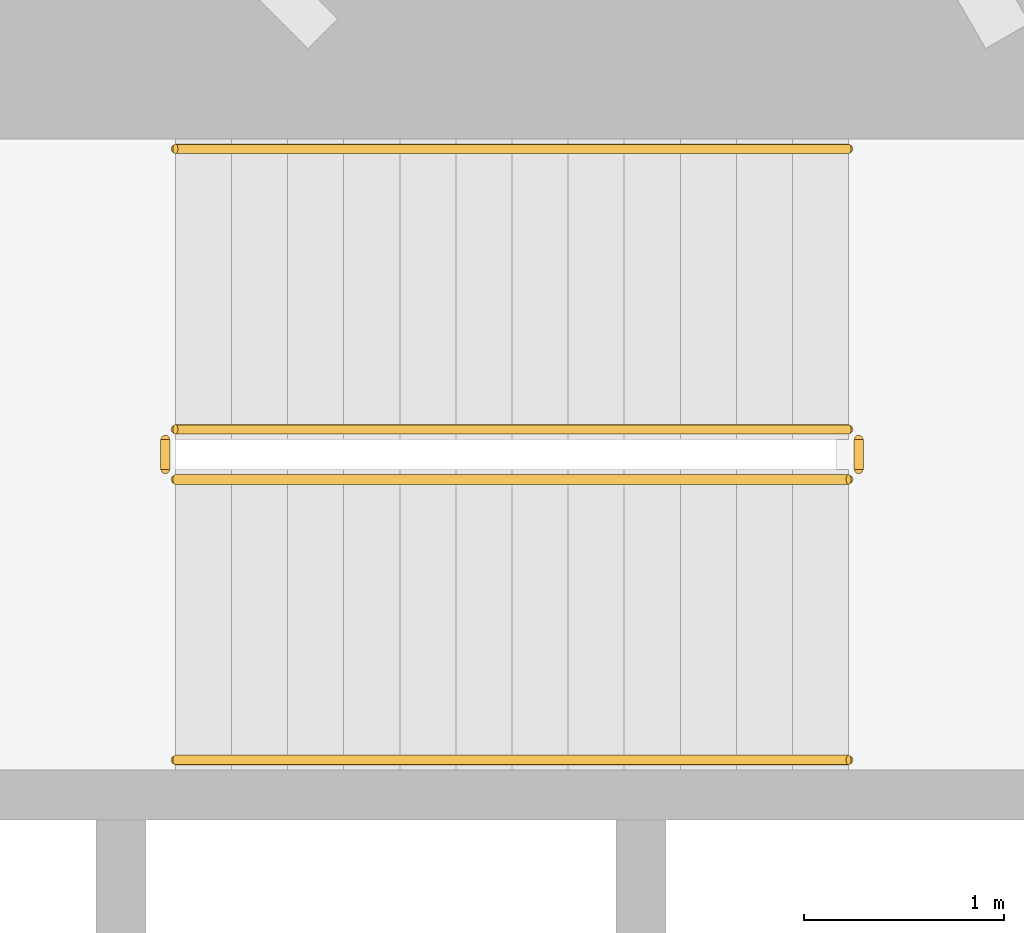
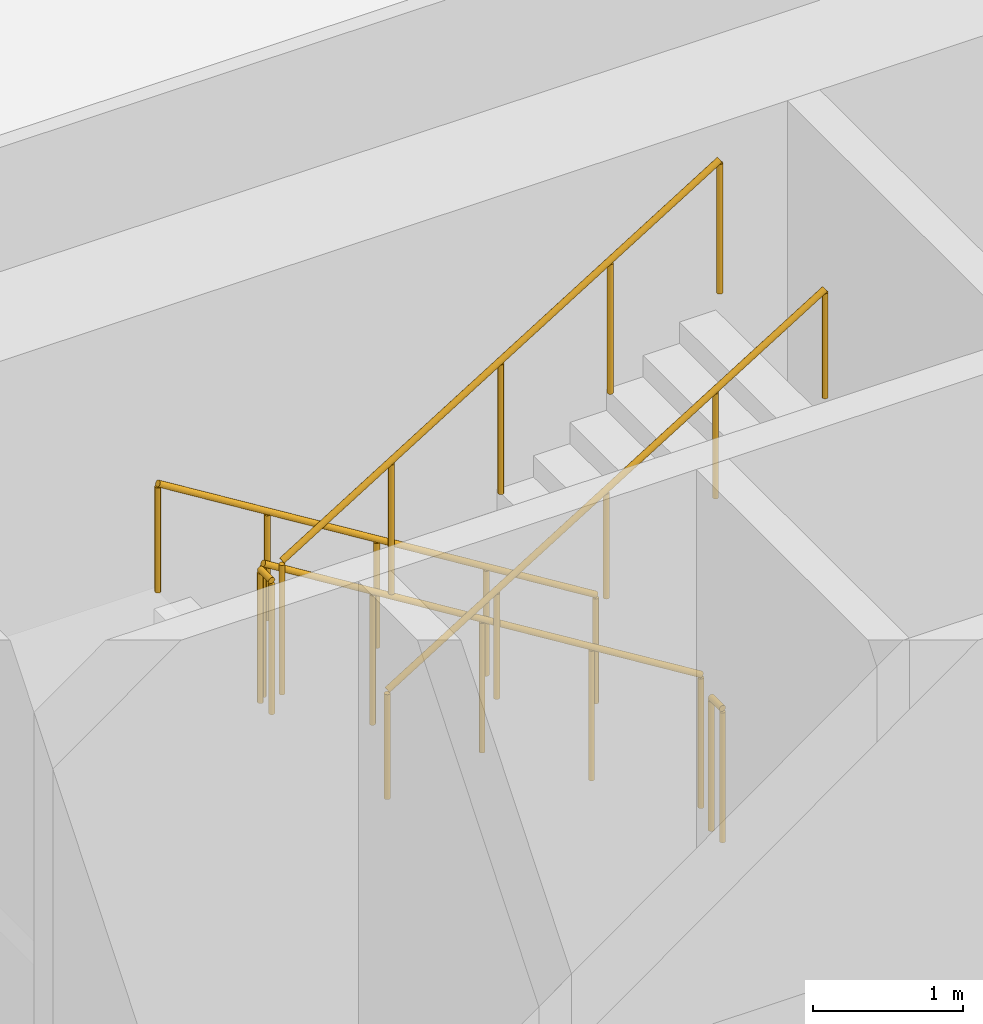
# One storey, part 49 of 56: 6 railings.
"""IFC4 building model written with IfcOpenShell, lengths in metres."""

from ifc_helpers import new_model, si_unit, direction, frame, origin, origin_2d, place, context, subcontext, project, spatial, circle, extrude, material, type_object, element, save


model = new_model("IFC4")

# Units and contexts
model_context = context("Model", 3, precision=1e-05, world=origin(), true_north=direction((0.0, 1.0)))
body_context = subcontext(model_context, "Body", "Model", "MODEL_VIEW")
ifc_project = project(units=[si_unit("LENGTHUNIT", "METRE"), si_unit("AREAUNIT", "SQUARE_METRE"), si_unit("VOLUMEUNIT", "CUBIC_METRE"), si_unit("PLANEANGLEUNIT", "RADIAN"), si_unit("MASSUNIT", "GRAM", prefix="KILO")], contexts=[model_context])

# Site, building, storey
site_placement = place(None, origin())
site = spatial("IfcSite", under=ifc_project, at=site_placement, CompositionType="ELEMENT")
building_placement = place(site_placement, origin())
building = spatial("IfcBuilding", under=site, at=building_placement, Name="Rimbun Link Towers", CompositionType="ELEMENT")
storey_placement = place(building_placement, frame((0.0, 0.0, 16.5)))
storey = spatial("IfcBuildingStorey", under=building, at=storey_placement, Name="L03", CompositionType="ELEMENT", Elevation=16.5)

# Railings
ifc_material_1 = material(Name="Stainless steel grade 316", Category="steel")
railing_type_1 = type_object("IfcRailingType", Name="Stair guard", PredefinedType="GUARDRAIL", material=ifc_material_1)
railing_1_placement = place(storey_placement, frame((-37.199951171875, 6.10009765625, 0.173095703125)))
element("IfcRailing", 1, at=railing_1_placement, inside=storey, type_object=railing_type_1, Name="L03 ST1 stair guard 1", PredefinedType="GUARDRAIL", context=body_context, shape_type="SweptSolid", body=[
    extrude(circle(Radius=0.02392578125, at=origin_2d()), frame((0.0, 0.0, 1.076171875), z_axis=(-0.850623216509, 0.0, 0.525775754039), x_axis=(0.0, -1.0, 0.0)), (0.0, 0.0, 1.0), 3.9501953125),
    extrude(circle(Radius=0.02099609375, at=origin_2d()), origin(), (0.0, 0.0, 1.0), 1.052001953125),
    extrude(circle(Radius=0.02099609375, at=origin_2d()), frame((-0.840087890625, 0.0, 0.519287109375)), (0.0, 0.0, 1.0), 1.052001953125),
    extrude(circle(Radius=0.02099609375, at=origin_2d()), frame((-1.68017578125, 0.0, 1.03857421875)), (0.0, 0.0, 1.0), 1.052001953125),
    extrude(circle(Radius=0.02099609375, at=origin_2d()), frame((-2.52001953125, 0.0, 1.5576171875)), (0.0, 0.0, 1.0), 1.052001953125),
    extrude(circle(Radius=0.02099609375, at=origin_2d()), frame((-3.360107421875, 0.0, 2.076904296875)), (0.0, 0.0, 1.0), 1.052001953125),
])
railing_2_placement = place(storey_placement, frame((-40.610107421875, 6.050048828125, 2.25)))
element("IfcRailing", 2, at=railing_2_placement, inside=storey, type_object=railing_type_1, Name="L03 ST1 stair guard 2", PredefinedType="GUARDRAIL", context=body_context, shape_type="SweptSolid", body=[
    extrude(circle(Radius=0.02392578125, at=origin_2d()), frame((0.0, 0.0, 1.076171875), z_axis=(0.0, -1.0, 0.0), x_axis=(1.0, 0.0, 0.0)), (0.0, 0.0, 1.0), 0.150146484375),
    extrude(circle(Radius=0.02099609375, at=origin_2d()), origin(), (0.0, 0.0, 1.0), 1.052001953125),
    extrude(circle(Radius=0.02099609375, at=origin_2d()), frame((0.0, -0.150146484375, 0.0)), (0.0, 0.0, 1.0), 1.052001953125),
])
railing_3_placement = place(storey_placement, frame((-40.56005859375, 5.85009765625, 2.423095703125)))
element("IfcRailing", 3, at=railing_3_placement, inside=storey, type_object=railing_type_1, Name="L03 ST1 stair guard 3", PredefinedType="GUARDRAIL", context=body_context, shape_type="SweptSolid", body=[
    extrude(circle(Radius=0.02392578125, at=origin_2d()), frame((0.0, 0.0, 1.076171875), z_axis=(0.850623216509, 0.0, 0.525775754039), x_axis=(0.0, 1.0, 0.0)), (0.0, 0.0, 1.0), 3.9501953125),
    extrude(circle(Radius=0.02099609375, at=origin_2d()), origin(), (0.0, 0.0, 1.0), 1.052001953125),
    extrude(circle(Radius=0.02099609375, at=origin_2d()), frame((0.840087890625, 0.0, 0.519287109375)), (0.0, 0.0, 1.0), 1.052001953125),
    extrude(circle(Radius=0.02099609375, at=origin_2d()), frame((1.68017578125, 0.0, 1.03857421875)), (0.0, 0.0, 1.0), 1.052001953125),
    extrude(circle(Radius=0.02099609375, at=origin_2d()), frame((2.52001953125, 0.0, 1.5576171875)), (0.0, 0.0, 1.0), 1.052001953125),
    extrude(circle(Radius=0.02099609375, at=origin_2d()), frame((3.360107421875, 0.0, 2.076904296875)), (0.0, 0.0, 1.0), 1.052001953125),
])
railing_4_placement = place(storey_placement, frame((-37.14990234375, 6.050048828125, 0.0)))
element("IfcRailing", 4, at=railing_4_placement, inside=storey, type_object=railing_type_1, Name="L03 ST1 stair guard 4", PredefinedType="GUARDRAIL", context=body_context, shape_type="SweptSolid", body=[
    extrude(circle(Radius=0.02392578125, at=origin_2d()), frame((0.0, 0.0, 1.076171875), z_axis=(0.0, -1.0, 0.0), x_axis=(1.0, 0.0, 0.0)), (0.0, 0.0, 1.0), 0.150146484375),
    extrude(circle(Radius=0.02099609375, at=origin_2d()), origin(), (0.0, 0.0, 1.0), 1.052001953125),
    extrude(circle(Radius=0.02099609375, at=origin_2d()), frame((0.0, -0.150146484375, 0.0)), (0.0, 0.0, 1.0), 1.052001953125),
])
ifc_material_2 = material(Name="Stainless steel grade 316", Category="steel")
railing_type_2 = type_object("IfcRailingType", Name="Stair handrail", PredefinedType="HANDRAIL", material=ifc_material_2)
railing_5_placement = place(storey_placement, frame((-37.199951171875, 7.5, 0.173095703125)))
element("IfcRailing", 5, at=railing_5_placement, inside=storey, type_object=railing_type_2, Name="L03 ST1 stair handrail 1", PredefinedType="HANDRAIL", context=body_context, shape_type="SweptSolid", body=[
    extrude(circle(Radius=0.02392578125, at=origin_2d()), frame((0.0, 0.0, 0.8759765625), z_axis=(-0.850623216509, 0.0, 0.525775754039), x_axis=(0.0, -1.0, 0.0)), (0.0, 0.0, 1.0), 3.9501953125),
    extrude(circle(Radius=0.02099609375, at=origin_2d()), origin(), (0.0, 0.0, 1.0), 0.851806640625),
    extrude(circle(Radius=0.02099609375, at=origin_2d()), frame((-0.840087890625, 0.0, 0.519287109375)), (0.0, 0.0, 1.0), 0.851806640625),
    extrude(circle(Radius=0.02099609375, at=origin_2d()), frame((-1.68017578125, 0.0, 1.03857421875)), (0.0, 0.0, 1.0), 0.851806640625),
    extrude(circle(Radius=0.02099609375, at=origin_2d()), frame((-2.52001953125, 0.0, 1.5576171875)), (0.0, 0.0, 1.0), 0.851806640625),
    extrude(circle(Radius=0.02099609375, at=origin_2d()), frame((-3.360107421875, 0.0, 2.076904296875)), (0.0, 0.0, 1.0), 0.851806640625),
])
railing_6_placement = place(storey_placement, frame((-40.56005859375, 4.449951171875, 2.423095703125)))
element("IfcRailing", 6, at=railing_6_placement, inside=storey, type_object=railing_type_2, Name="L03 ST1 stair handrail 2", PredefinedType="HANDRAIL", context=body_context, shape_type="SweptSolid", body=[
    extrude(circle(Radius=0.02392578125, at=origin_2d()), frame((0.0, 0.0, 0.8759765625), z_axis=(0.850623216509, 0.0, 0.525775754039), x_axis=(0.0, 1.0, 0.0)), (0.0, 0.0, 1.0), 3.9501953125),
    extrude(circle(Radius=0.02099609375, at=origin_2d()), origin(), (0.0, 0.0, 1.0), 0.851806640625),
    extrude(circle(Radius=0.02099609375, at=origin_2d()), frame((0.840087890625, 0.0, 0.519287109375)), (0.0, 0.0, 1.0), 0.851806640625),
    extrude(circle(Radius=0.02099609375, at=origin_2d()), frame((1.68017578125, 0.0, 1.03857421875)), (0.0, 0.0, 1.0), 0.851806640625),
    extrude(circle(Radius=0.02099609375, at=origin_2d()), frame((2.52001953125, 0.0, 1.5576171875)), (0.0, 0.0, 1.0), 0.851806640625),
    extrude(circle(Radius=0.02099609375, at=origin_2d()), frame((3.360107421875, 0.0, 2.076904296875)), (0.0, 0.0, 1.0), 0.851806640625),
])

save(model, "model.ifc")
